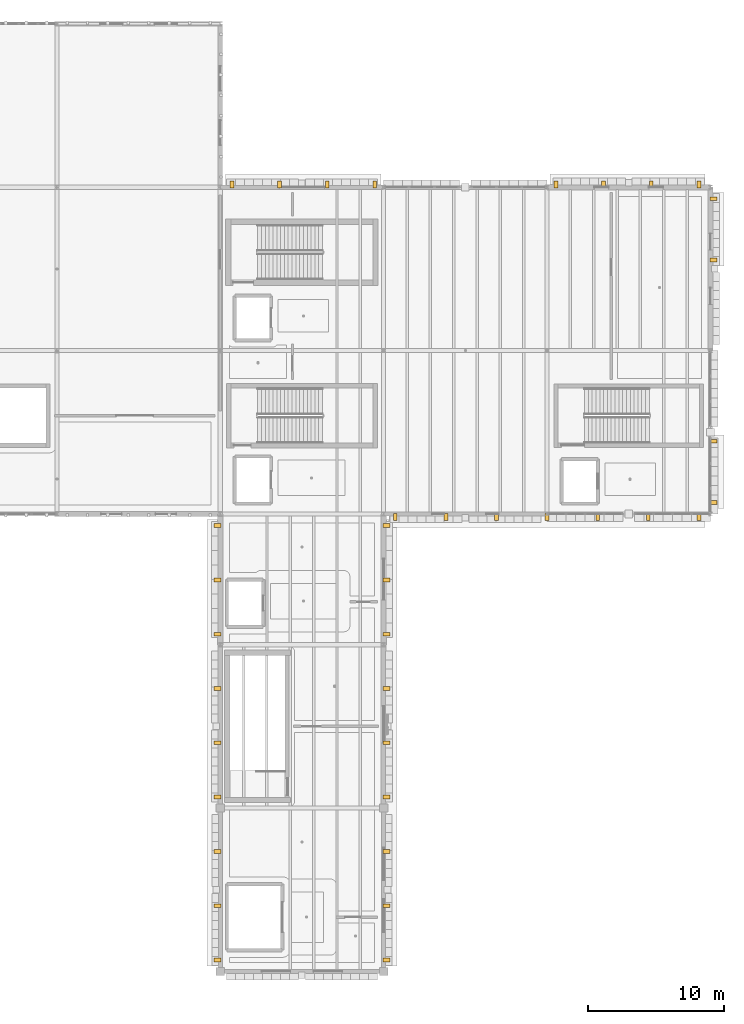
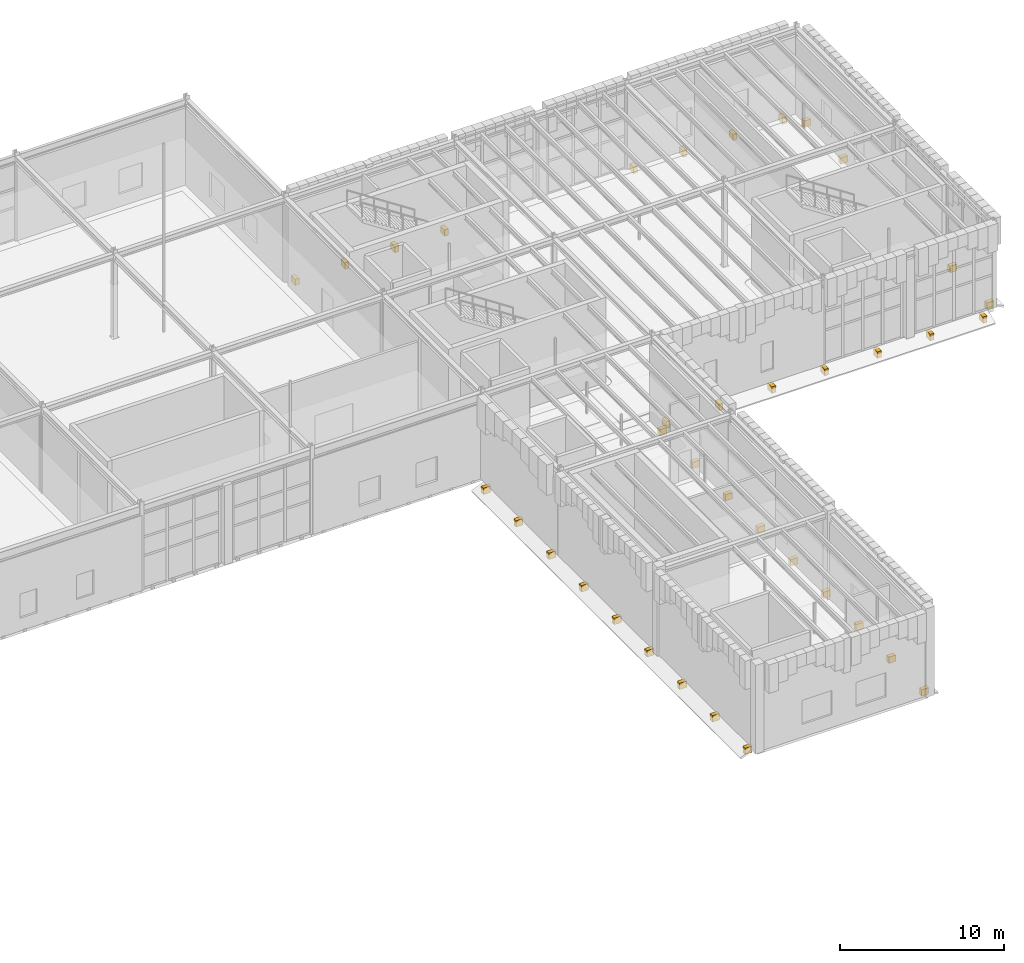
# One storey, part 62 of 62: 37 coverings.
"""IFC4 building model written with IfcOpenShell, lengths in metres."""

from ifc_helpers import new_model, si_unit, direction, frame, origin, place, context, subcontext, project, spatial, polyline, outline, extrude, material, layer, layer_set, type_object, element, save


model = new_model("IFC4")

# Units and contexts
model_context = context("Model", 3, precision=1e-05, world=origin(), true_north=direction((0.0, 1.0)))
body_context = subcontext(model_context, "Body", "Model", "MODEL_VIEW")
ifc_project = project(units=[si_unit("LENGTHUNIT", "METRE"), si_unit("AREAUNIT", "SQUARE_METRE"), si_unit("VOLUMEUNIT", "CUBIC_METRE"), si_unit("PLANEANGLEUNIT", "RADIAN"), si_unit("MASSUNIT", "GRAM", prefix="KILO")], contexts=[model_context])

# Site, building, storey
site_placement = place(None, origin())
site = spatial("IfcSite", under=ifc_project, at=site_placement, CompositionType="ELEMENT")
building_placement = place(site_placement, origin())
building = spatial("IfcBuilding", under=site, at=building_placement, Name="Zlatogorsky Bluff Art Gallery", CompositionType="ELEMENT")
storey_placement = place(building_placement, frame((0.0, 0.0, 16.800048828125)))
storey = spatial("IfcBuildingStorey", under=building, at=storey_placement, Name="L03", CompositionType="ELEMENT", Elevation=16.800048828125)

# Coverings
ifc_material = material(Name="Honed Red Agra-Tone Quartzitic Sandstone", Category="masonry")
ifc_layer = layer(ifc_material, 0.1201171875)
ifc_layer_set = layer_set([ifc_layer], Name="Carved Sandstone Cladding CLD-02")
covering_type = type_object("IfcCoveringType", Name="Carved Sandstone Cladding CLD-02", PredefinedType="CLADDING", material=ifc_layer_set)
covering_1_placement = place(storey_placement, frame((0.0, 0.0, -0.60009765625)))
element("IfcCovering", 1, at=covering_1_placement, inside=storey, type_object=covering_type, Name="Chhajja carved stone corbel CHJ-NE-N-L03A.1", PredefinedType="CLADDING", context=body_context, shape_type="SweptSolid", body=[
    extrude(outline(polyline([(120.7099609375, 107.9599609375), (120.989990234375, 107.9599609375), (120.989990234375, 108.4599609375), (120.7099609375, 108.4599609375), (120.7099609375, 107.9599609375)])), origin(), (0.0, 0.0, 1.0), 0.47998046875),
])
covering_2_placement = place(storey_placement, frame((0.0, 0.0, -0.60009765625)))
element("IfcCovering", 2, at=covering_2_placement, inside=storey, type_object=covering_type, Name="Chhajja carved stone corbel CHJ-NE-N-L03A.2", PredefinedType="CLADDING", context=body_context, shape_type="SweptSolid", body=[
    extrude(outline(polyline([(124.2099609375, 107.9599609375), (124.489990234375, 107.9599609375), (124.489990234375, 108.4599609375), (124.2099609375, 108.4599609375), (124.2099609375, 107.9599609375)])), origin(), (0.0, 0.0, 1.0), 0.47998046875),
])
covering_3_placement = place(storey_placement, frame((0.0, 0.0, -0.60009765625)))
element("IfcCovering", 3, at=covering_3_placement, inside=storey, type_object=covering_type, Name="Chhajja carved stone corbel CHJ-NE-N-L03A.3", PredefinedType="CLADDING", context=body_context, shape_type="SweptSolid", body=[
    extrude(outline(polyline([(127.7099609375, 107.9599609375), (127.989990234375, 107.9599609375), (127.989990234375, 108.4599609375), (127.7099609375, 108.4599609375), (127.7099609375, 107.9599609375)])), origin(), (0.0, 0.0, 1.0), 0.47998046875),
])
covering_4_placement = place(storey_placement, frame((0.0, 0.0, -0.60009765625)))
element("IfcCovering", 4, at=covering_4_placement, inside=storey, type_object=covering_type, Name="Chhajja carved stone corbel CHJ-NE-N-L03A.4", PredefinedType="CLADDING", context=body_context, shape_type="SweptSolid", body=[
    extrude(outline(polyline([(131.2099609375, 107.9599609375), (131.489990234375, 107.9599609375), (131.489990234375, 108.4599609375), (131.2099609375, 108.4599609375), (131.2099609375, 107.9599609375)])), origin(), (0.0, 0.0, 1.0), 0.47998046875),
])
covering_5_placement = place(storey_placement, frame((0.0, 0.0, -0.60009765625)))
element("IfcCovering", 5, at=covering_5_placement, inside=storey, type_object=covering_type, Name="Chhajja carved stone corbel CHJ-NE-N-L03B.1", PredefinedType="CLADDING", context=body_context, shape_type="SweptSolid", body=[
    extrude(outline(polyline([(144.510009765625, 107.9599609375), (144.7900390625, 107.9599609375), (144.7900390625, 108.4599609375), (144.510009765625, 108.4599609375), (144.510009765625, 107.9599609375)])), origin(), (0.0, 0.0, 1.0), 0.47998046875),
])
covering_6_placement = place(storey_placement, frame((0.0, 0.0, -0.60009765625)))
element("IfcCovering", 6, at=covering_6_placement, inside=storey, type_object=covering_type, Name="Chhajja carved stone corbel CHJ-NE-N-L03B.2", PredefinedType="CLADDING", context=body_context, shape_type="SweptSolid", body=[
    extrude(outline(polyline([(148.010009765625, 107.9599609375), (148.2900390625, 107.9599609375), (148.2900390625, 108.4599609375), (148.010009765625, 108.4599609375), (148.010009765625, 107.9599609375)])), origin(), (0.0, 0.0, 1.0), 0.47998046875),
])
covering_7_placement = place(storey_placement, frame((0.0, 0.0, -0.60009765625)))
element("IfcCovering", 7, at=covering_7_placement, inside=storey, type_object=covering_type, Name="Chhajja carved stone corbel CHJ-NE-N-L03B.3", PredefinedType="CLADDING", context=body_context, shape_type="SweptSolid", body=[
    extrude(outline(polyline([(151.510009765625, 107.9599609375), (151.7900390625, 107.9599609375), (151.7900390625, 108.4599609375), (151.510009765625, 108.4599609375), (151.510009765625, 107.9599609375)])), origin(), (0.0, 0.0, 1.0), 0.47998046875),
])
covering_8_placement = place(storey_placement, frame((0.0, 0.0, -0.60009765625)))
element("IfcCovering", 8, at=covering_8_placement, inside=storey, type_object=covering_type, Name="Chhajja carved stone corbel CHJ-NE-N-L03B.4", PredefinedType="CLADDING", context=body_context, shape_type="SweptSolid", body=[
    extrude(outline(polyline([(155.010009765625, 107.9599609375), (155.2900390625, 107.9599609375), (155.2900390625, 108.4599609375), (155.010009765625, 108.4599609375), (155.010009765625, 107.9599609375)])), origin(), (0.0, 0.0, 1.0), 0.47998046875),
])
covering_9_placement = place(storey_placement, frame((0.0, 0.0, -0.60009765625)))
element("IfcCovering", 9, at=covering_9_placement, inside=storey, type_object=covering_type, Name="Chhajja carved stone corbel CHJ-NE-E-L03A.1", PredefinedType="CLADDING", context=body_context, shape_type="SweptSolid", body=[
    extrude(outline(polyline([(155.9599609375, 84.7099609375), (155.9599609375, 84.989990234375), (156.4599609375, 84.989990234375), (156.4599609375, 84.7099609375), (155.9599609375, 84.7099609375)])), origin(), (0.0, 0.0, 1.0), 0.47998046875),
])
covering_10_placement = place(storey_placement, frame((0.0, 0.0, -0.60009765625)))
element("IfcCovering", 10, at=covering_10_placement, inside=storey, type_object=covering_type, Name="Chhajja carved stone corbel CHJ-NE-E-L03A.2", PredefinedType="CLADDING", context=body_context, shape_type="SweptSolid", body=[
    extrude(outline(polyline([(155.9599609375, 89.2099609375), (155.9599609375, 89.489990234375), (156.4599609375, 89.489990234375), (156.4599609375, 89.2099609375), (155.9599609375, 89.2099609375)])), origin(), (0.0, 0.0, 1.0), 0.47998046875),
])
covering_11_placement = place(storey_placement, frame((0.0, 0.0, -0.60009765625)))
element("IfcCovering", 11, at=covering_11_placement, inside=storey, type_object=covering_type, Name="Chhajja carved stone corbel CHJ-NE-E-L03B.1", PredefinedType="CLADDING", context=body_context, shape_type="SweptSolid", body=[
    extrude(outline(polyline([(155.9599609375, 102.510009765625), (155.9599609375, 102.7900390625), (156.4599609375, 102.7900390625), (156.4599609375, 102.510009765625), (155.9599609375, 102.510009765625)])), origin(), (0.0, 0.0, 1.0), 0.47998046875),
])
covering_12_placement = place(storey_placement, frame((0.0, 0.0, -0.60009765625)))
element("IfcCovering", 12, at=covering_12_placement, inside=storey, type_object=covering_type, Name="Chhajja carved stone corbel CHJ-NE-E-L03B.2", PredefinedType="CLADDING", context=body_context, shape_type="SweptSolid", body=[
    extrude(outline(polyline([(155.9599609375, 107.010009765625), (155.9599609375, 107.2900390625), (156.4599609375, 107.2900390625), (156.4599609375, 107.010009765625), (155.9599609375, 107.010009765625)])), origin(), (0.0, 0.0, 1.0), 0.47998046875),
])
covering_13_placement = place(storey_placement, frame((0.0, 0.0, -0.60009765625)))
element("IfcCovering", 13, at=covering_13_placement, inside=storey, type_object=covering_type, Name="Chhajja carved stone corbel CHJ-NE-S-L03.1", PredefinedType="CLADDING", context=body_context, shape_type="SweptSolid", body=[
    extrude(outline(polyline([(132.7099609375, 83.5400390625), (132.989990234375, 83.5400390625), (132.989990234375, 84.0400390625), (132.7099609375, 84.0400390625), (132.7099609375, 83.5400390625)])), origin(), (0.0, 0.0, 1.0), 0.47998046875),
])
covering_14_placement = place(storey_placement, frame((0.0, 0.0, -0.60009765625)))
element("IfcCovering", 14, at=covering_14_placement, inside=storey, type_object=covering_type, Name="Chhajja carved stone corbel CHJ-NE-S-L03.2", PredefinedType="CLADDING", context=body_context, shape_type="SweptSolid", body=[
    extrude(outline(polyline([(136.4267578125, 83.5400390625), (136.706787109375, 83.5400390625), (136.706787109375, 84.0400390625), (136.4267578125, 84.0400390625), (136.4267578125, 83.5400390625)])), origin(), (0.0, 0.0, 1.0), 0.47998046875),
])
covering_15_placement = place(storey_placement, frame((0.0, 0.0, -0.60009765625)))
element("IfcCovering", 15, at=covering_15_placement, inside=storey, type_object=covering_type, Name="Chhajja carved stone corbel CHJ-NE-S-L03.3", PredefinedType="CLADDING", context=body_context, shape_type="SweptSolid", body=[
    extrude(outline(polyline([(140.143310546875, 83.5400390625), (140.42333984375, 83.5400390625), (140.42333984375, 84.0400390625), (140.143310546875, 84.0400390625), (140.143310546875, 83.5400390625)])), origin(), (0.0, 0.0, 1.0), 0.47998046875),
])
covering_16_placement = place(storey_placement, frame((0.0, 0.0, -0.60009765625)))
element("IfcCovering", 16, at=covering_16_placement, inside=storey, type_object=covering_type, Name="Chhajja carved stone corbel CHJ-NE-S-L03.4", PredefinedType="CLADDING", context=body_context, shape_type="SweptSolid", body=[
    extrude(outline(polyline([(143.860107421875, 83.5400390625), (144.139892578125, 83.5400390625), (144.139892578125, 84.0400390625), (143.860107421875, 84.0400390625), (143.860107421875, 83.5400390625)])), origin(), (0.0, 0.0, 1.0), 0.47998046875),
])
covering_17_placement = place(storey_placement, frame((0.0, 0.0, -0.60009765625)))
element("IfcCovering", 17, at=covering_17_placement, inside=storey, type_object=covering_type, Name="Chhajja carved stone corbel CHJ-NE-S-L03.5", PredefinedType="CLADDING", context=body_context, shape_type="SweptSolid", body=[
    extrude(outline(polyline([(147.57666015625, 83.5400390625), (147.856689453125, 83.5400390625), (147.856689453125, 84.0400390625), (147.57666015625, 84.0400390625), (147.57666015625, 83.5400390625)])), origin(), (0.0, 0.0, 1.0), 0.47998046875),
])
covering_18_placement = place(storey_placement, frame((0.0, 0.0, -0.60009765625)))
element("IfcCovering", 18, at=covering_18_placement, inside=storey, type_object=covering_type, Name="Chhajja carved stone corbel CHJ-NE-S-L03.6", PredefinedType="CLADDING", context=body_context, shape_type="SweptSolid", body=[
    extrude(outline(polyline([(151.293212890625, 83.5400390625), (151.5732421875, 83.5400390625), (151.5732421875, 84.0400390625), (151.293212890625, 84.0400390625), (151.293212890625, 83.5400390625)])), origin(), (0.0, 0.0, 1.0), 0.47998046875),
])
covering_19_placement = place(storey_placement, frame((0.0, 0.0, -0.60009765625)))
element("IfcCovering", 19, at=covering_19_placement, inside=storey, type_object=covering_type, Name="Chhajja carved stone corbel CHJ-NE-S-L03.7", PredefinedType="CLADDING", context=body_context, shape_type="SweptSolid", body=[
    extrude(outline(polyline([(155.010009765625, 83.5400390625), (155.2900390625, 83.5400390625), (155.2900390625, 84.0400390625), (155.010009765625, 84.0400390625), (155.010009765625, 83.5400390625)])), origin(), (0.0, 0.0, 1.0), 0.47998046875),
])
covering_20_placement = place(storey_placement, frame((0.0, 0.0, -0.60009765625)))
element("IfcCovering", 20, at=covering_20_placement, inside=storey, type_object=covering_type, Name="Chhajja carved stone corbel CHJ-LINK-W-L03.1", PredefinedType="CLADDING", context=body_context, shape_type="SweptSolid", body=[
    extrude(outline(polyline([(119.5400390625, 51.110107421875), (119.5400390625, 51.389892578125), (120.0400390625, 51.389892578125), (120.0400390625, 51.110107421875), (119.5400390625, 51.110107421875)])), origin(), (0.0, 0.0, 1.0), 0.47998046875),
])
covering_21_placement = place(storey_placement, frame((0.0, 0.0, -0.60009765625)))
element("IfcCovering", 21, at=covering_21_placement, inside=storey, type_object=covering_type, Name="Chhajja carved stone corbel CHJ-LINK-W-L03.2", PredefinedType="CLADDING", context=body_context, shape_type="SweptSolid", body=[
    extrude(outline(polyline([(119.5400390625, 55.097412109375), (119.5400390625, 55.37744140625), (120.0400390625, 55.37744140625), (120.0400390625, 55.097412109375), (119.5400390625, 55.097412109375)])), origin(), (0.0, 0.0, 1.0), 0.47998046875),
])
covering_22_placement = place(storey_placement, frame((0.0, 0.0, -0.60009765625)))
element("IfcCovering", 22, at=covering_22_placement, inside=storey, type_object=covering_type, Name="Chhajja carved stone corbel CHJ-LINK-W-L03.3", PredefinedType="CLADDING", context=body_context, shape_type="SweptSolid", body=[
    extrude(outline(polyline([(119.5400390625, 59.0849609375), (119.5400390625, 59.364990234375), (120.0400390625, 59.364990234375), (120.0400390625, 59.0849609375), (119.5400390625, 59.0849609375)])), origin(), (0.0, 0.0, 1.0), 0.47998046875),
])
covering_23_placement = place(storey_placement, frame((0.0, 0.0, -0.60009765625)))
element("IfcCovering", 23, at=covering_23_placement, inside=storey, type_object=covering_type, Name="Chhajja carved stone corbel CHJ-LINK-W-L03.4", PredefinedType="CLADDING", context=body_context, shape_type="SweptSolid", body=[
    extrude(outline(polyline([(119.5400390625, 63.072509765625), (119.5400390625, 63.3525390625), (120.0400390625, 63.3525390625), (120.0400390625, 63.072509765625), (119.5400390625, 63.072509765625)])), origin(), (0.0, 0.0, 1.0), 0.47998046875),
])
covering_24_placement = place(storey_placement, frame((0.0, 0.0, -0.60009765625)))
element("IfcCovering", 24, at=covering_24_placement, inside=storey, type_object=covering_type, Name="Chhajja carved stone corbel CHJ-LINK-W-L03.5", PredefinedType="CLADDING", context=body_context, shape_type="SweptSolid", body=[
    extrude(outline(polyline([(119.5400390625, 67.06005859375), (119.5400390625, 67.340087890625), (120.0400390625, 67.340087890625), (120.0400390625, 67.06005859375), (119.5400390625, 67.06005859375)])), origin(), (0.0, 0.0, 1.0), 0.47998046875),
])
covering_25_placement = place(storey_placement, frame((0.0, 0.0, -0.60009765625)))
element("IfcCovering", 25, at=covering_25_placement, inside=storey, type_object=covering_type, Name="Chhajja carved stone corbel CHJ-LINK-W-L03.6", PredefinedType="CLADDING", context=body_context, shape_type="SweptSolid", body=[
    extrude(outline(polyline([(119.5400390625, 71.047607421875), (119.5400390625, 71.327392578125), (120.0400390625, 71.327392578125), (120.0400390625, 71.047607421875), (119.5400390625, 71.047607421875)])), origin(), (0.0, 0.0, 1.0), 0.47998046875),
])
covering_26_placement = place(storey_placement, frame((0.0, 0.0, -0.60009765625)))
element("IfcCovering", 26, at=covering_26_placement, inside=storey, type_object=covering_type, Name="Chhajja carved stone corbel CHJ-LINK-W-L03.7", PredefinedType="CLADDING", context=body_context, shape_type="SweptSolid", body=[
    extrude(outline(polyline([(119.5400390625, 75.034912109375), (119.5400390625, 75.31494140625), (120.0400390625, 75.31494140625), (120.0400390625, 75.034912109375), (119.5400390625, 75.034912109375)])), origin(), (0.0, 0.0, 1.0), 0.47998046875),
])
covering_27_placement = place(storey_placement, frame((0.0, 0.0, -0.60009765625)))
element("IfcCovering", 27, at=covering_27_placement, inside=storey, type_object=covering_type, Name="Chhajja carved stone corbel CHJ-LINK-W-L03.8", PredefinedType="CLADDING", context=body_context, shape_type="SweptSolid", body=[
    extrude(outline(polyline([(119.5400390625, 79.0224609375), (119.5400390625, 79.302490234375), (120.0400390625, 79.302490234375), (120.0400390625, 79.0224609375), (119.5400390625, 79.0224609375)])), origin(), (0.0, 0.0, 1.0), 0.47998046875),
])
covering_28_placement = place(storey_placement, frame((0.0, 0.0, -0.60009765625)))
element("IfcCovering", 28, at=covering_28_placement, inside=storey, type_object=covering_type, Name="Chhajja carved stone corbel CHJ-LINK-W-L03.9", PredefinedType="CLADDING", context=body_context, shape_type="SweptSolid", body=[
    extrude(outline(polyline([(119.5400390625, 83.010009765625), (119.5400390625, 83.2900390625), (120.0400390625, 83.2900390625), (120.0400390625, 83.010009765625), (119.5400390625, 83.010009765625)])), origin(), (0.0, 0.0, 1.0), 0.47998046875),
])
covering_29_placement = place(storey_placement, frame((0.0, 0.0, -0.60009765625)))
element("IfcCovering", 29, at=covering_29_placement, inside=storey, type_object=covering_type, Name="Chhajja carved stone corbel CHJ-LINK-E-L03.1", PredefinedType="CLADDING", context=body_context, shape_type="SweptSolid", body=[
    extrude(outline(polyline([(131.9599609375, 51.110107421875), (131.9599609375, 51.389892578125), (132.4599609375, 51.389892578125), (132.4599609375, 51.110107421875), (131.9599609375, 51.110107421875)])), origin(), (0.0, 0.0, 1.0), 0.47998046875),
])
covering_30_placement = place(storey_placement, frame((0.0, 0.0, -0.60009765625)))
element("IfcCovering", 30, at=covering_30_placement, inside=storey, type_object=covering_type, Name="Chhajja carved stone corbel CHJ-LINK-E-L03.2", PredefinedType="CLADDING", context=body_context, shape_type="SweptSolid", body=[
    extrude(outline(polyline([(131.9599609375, 55.097412109375), (131.9599609375, 55.37744140625), (132.4599609375, 55.37744140625), (132.4599609375, 55.097412109375), (131.9599609375, 55.097412109375)])), origin(), (0.0, 0.0, 1.0), 0.47998046875),
])
covering_31_placement = place(storey_placement, frame((0.0, 0.0, -0.60009765625)))
element("IfcCovering", 31, at=covering_31_placement, inside=storey, type_object=covering_type, Name="Chhajja carved stone corbel CHJ-LINK-E-L03.3", PredefinedType="CLADDING", context=body_context, shape_type="SweptSolid", body=[
    extrude(outline(polyline([(131.9599609375, 59.0849609375), (131.9599609375, 59.364990234375), (132.4599609375, 59.364990234375), (132.4599609375, 59.0849609375), (131.9599609375, 59.0849609375)])), origin(), (0.0, 0.0, 1.0), 0.47998046875),
])
covering_32_placement = place(storey_placement, frame((0.0, 0.0, -0.60009765625)))
element("IfcCovering", 32, at=covering_32_placement, inside=storey, type_object=covering_type, Name="Chhajja carved stone corbel CHJ-LINK-E-L03.4", PredefinedType="CLADDING", context=body_context, shape_type="SweptSolid", body=[
    extrude(outline(polyline([(131.9599609375, 63.072509765625), (131.9599609375, 63.3525390625), (132.4599609375, 63.3525390625), (132.4599609375, 63.072509765625), (131.9599609375, 63.072509765625)])), origin(), (0.0, 0.0, 1.0), 0.47998046875),
])
covering_33_placement = place(storey_placement, frame((0.0, 0.0, -0.60009765625)))
element("IfcCovering", 33, at=covering_33_placement, inside=storey, type_object=covering_type, Name="Chhajja carved stone corbel CHJ-LINK-E-L03.5", PredefinedType="CLADDING", context=body_context, shape_type="SweptSolid", body=[
    extrude(outline(polyline([(131.9599609375, 67.06005859375), (131.9599609375, 67.340087890625), (132.4599609375, 67.340087890625), (132.4599609375, 67.06005859375), (131.9599609375, 67.06005859375)])), origin(), (0.0, 0.0, 1.0), 0.47998046875),
])
covering_34_placement = place(storey_placement, frame((0.0, 0.0, -0.60009765625)))
element("IfcCovering", 34, at=covering_34_placement, inside=storey, type_object=covering_type, Name="Chhajja carved stone corbel CHJ-LINK-E-L03.6", PredefinedType="CLADDING", context=body_context, shape_type="SweptSolid", body=[
    extrude(outline(polyline([(131.9599609375, 71.047607421875), (131.9599609375, 71.327392578125), (132.4599609375, 71.327392578125), (132.4599609375, 71.047607421875), (131.9599609375, 71.047607421875)])), origin(), (0.0, 0.0, 1.0), 0.47998046875),
])
covering_35_placement = place(storey_placement, frame((0.0, 0.0, -0.60009765625)))
element("IfcCovering", 35, at=covering_35_placement, inside=storey, type_object=covering_type, Name="Chhajja carved stone corbel CHJ-LINK-E-L03.7", PredefinedType="CLADDING", context=body_context, shape_type="SweptSolid", body=[
    extrude(outline(polyline([(131.9599609375, 75.034912109375), (131.9599609375, 75.31494140625), (132.4599609375, 75.31494140625), (132.4599609375, 75.034912109375), (131.9599609375, 75.034912109375)])), origin(), (0.0, 0.0, 1.0), 0.47998046875),
])
covering_36_placement = place(storey_placement, frame((0.0, 0.0, -0.60009765625)))
element("IfcCovering", 36, at=covering_36_placement, inside=storey, type_object=covering_type, Name="Chhajja carved stone corbel CHJ-LINK-E-L03.8", PredefinedType="CLADDING", context=body_context, shape_type="SweptSolid", body=[
    extrude(outline(polyline([(131.9599609375, 79.0224609375), (131.9599609375, 79.302490234375), (132.4599609375, 79.302490234375), (132.4599609375, 79.0224609375), (131.9599609375, 79.0224609375)])), origin(), (0.0, 0.0, 1.0), 0.47998046875),
])
covering_37_placement = place(storey_placement, frame((0.0, 0.0, -0.60009765625)))
element("IfcCovering", 37, at=covering_37_placement, inside=storey, type_object=covering_type, Name="Chhajja carved stone corbel CHJ-LINK-E-L03.9", PredefinedType="CLADDING", context=body_context, shape_type="SweptSolid", body=[
    extrude(outline(polyline([(131.9599609375, 83.010009765625), (131.9599609375, 83.2900390625), (132.4599609375, 83.2900390625), (132.4599609375, 83.010009765625), (131.9599609375, 83.010009765625)])), origin(), (0.0, 0.0, 1.0), 0.47998046875),
])

save(model, "model.ifc")
